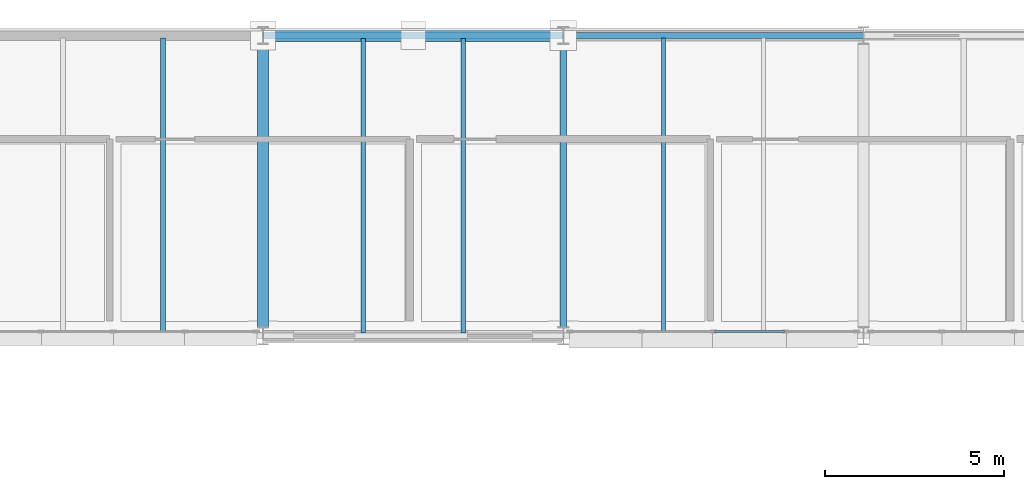
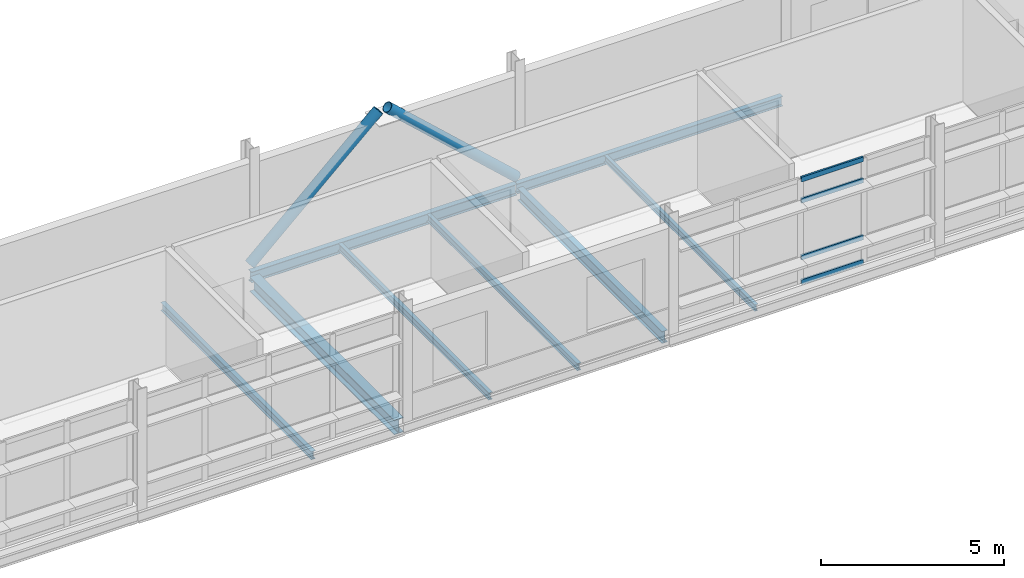
# One storey, part 71 of 151: 8 beams, 6 members, 1 element without a shape of its own.
"""IFC4 building model written with IfcOpenShell, lengths in metres."""

from ifc_helpers import new_model, si_unit, direction, frame, origin, origin_2d, place, context, subcontext, project, spatial, hollow_rectangle, hollow_circle, i_section, extrude, material, material_profile, profile_set, type_object, element, aggregate, save


model = new_model("IFC4")

# Units and contexts
model_context = context("Model", 3, precision=1e-05, world=origin(), true_north=direction((0.0, 1.0)))
body_context = subcontext(model_context, "Body", "Model", "MODEL_VIEW")
ifc_project = project(units=[si_unit("LENGTHUNIT", "METRE"), si_unit("AREAUNIT", "SQUARE_METRE"), si_unit("VOLUMEUNIT", "CUBIC_METRE"), si_unit("PLANEANGLEUNIT", "RADIAN"), si_unit("MASSUNIT", "GRAM", prefix="KILO")], contexts=[model_context])

# Site, building, storey
site_placement = place(None, origin())
site = spatial("IfcSite", under=ifc_project, at=site_placement, CompositionType="ELEMENT")
building_placement = place(site_placement, origin())
building = spatial("IfcBuilding", under=site, at=building_placement, Name="Mersafa Astral City Hall", CompositionType="ELEMENT")
storey_placement = place(building_placement, frame((0.0, 0.0, 9.89990234375)))
storey = spatial("IfcBuildingStorey", under=building, at=storey_placement, Name="L02", CompositionType="ELEMENT", Elevation=9.89990234375)

# Curtain wall, members
ifc_material_1 = material(Name="Anodised bronze aluminium framing", Category="aluminium")
curtain_wall_type = type_object("IfcCurtainWallType", Name="ENV-CW-3", PredefinedType="USERDEFINED", material=ifc_material_1)
curtain_wall_placement = place(storey_placement, origin())
curtain_wall = element("IfcCurtainWall", 1, at=curtain_wall_placement, inside=storey, type_object=curtain_wall_type, Name="L02 Unitised solar curtain wall 140", ObjectType="UNITISED CURTAIN WALL", PredefinedType="USERDEFINED")
ifc_material_profile_1 = material_profile(ifc_material_1, hollow_rectangle(XDim=0.06005859375, YDim=0.159912109375, WallThickness=0.00390625, at=origin_2d()), Name="RHS 60x160x4")
ifc_profile_set_1 = profile_set([ifc_material_profile_1], Name="Anodised bronze aluminium framing")
member_type_1 = type_object("IfcMemberType", Name="ENV-CW-TRN-2", PredefinedType="USERDEFINED", material=ifc_profile_set_1)
member_1_placement = place(storey_placement, frame((88.22998046875, 117.719970703125, 0.028076171875), z_axis=(1.0, 0.0, 0.0), x_axis=(0.0, 1.0, 0.0)))
member_1 = element("IfcMember", 2, at=member_1_placement, type_object=member_type_1, Name="CW-3 transom 3.1", ObjectType="TRANSOM", PredefinedType="USERDEFINED", context=body_context, shape_type="SweptSolid", body=[
    extrude(hollow_rectangle(XDim=0.06005859375, YDim=0.159912109375, WallThickness=0.00390625, at=origin_2d()), origin(), (0.0, 0.0, 1.0), 1.958984375),
])
member_2_placement = place(storey_placement, frame((88.22998046875, 117.719970703125, 0.85009765625), z_axis=(1.0, 0.0, 0.0), x_axis=(0.0, 1.0, 0.0)))
member_2 = element("IfcMember", 3, at=member_2_placement, type_object=member_type_1, Name="CW-3 transom 3.2", ObjectType="TRANSOM", PredefinedType="USERDEFINED", context=body_context, shape_type="SweptSolid", body=[
    extrude(hollow_rectangle(XDim=0.06005859375, YDim=0.159912109375, WallThickness=0.00390625, at=origin_2d()), origin(), (0.0, 0.0, 1.0), 1.958984375),
])
member_3_placement = place(storey_placement, frame((88.22998046875, 117.719970703125, 2.75), z_axis=(1.0, 0.0, 0.0), x_axis=(0.0, 1.0, 0.0)))
member_3 = element("IfcMember", 4, at=member_3_placement, type_object=member_type_1, Name="CW-3 transom 3.3", ObjectType="TRANSOM", PredefinedType="USERDEFINED", context=body_context, shape_type="SweptSolid", body=[
    extrude(hollow_rectangle(XDim=0.06005859375, YDim=0.159912109375, WallThickness=0.00390625, at=origin_2d()), origin(), (0.0, 0.0, 1.0), 1.958984375),
])
member_4_placement = place(storey_placement, frame((88.22998046875, 117.719970703125, 3.45703125), z_axis=(1.0, 0.0, 0.0), x_axis=(0.0, 1.0, 0.0)))
member_4 = element("IfcMember", 5, at=member_4_placement, type_object=member_type_1, Name="CW-3 transom 3.4", ObjectType="TRANSOM", PredefinedType="USERDEFINED", context=body_context, shape_type="SweptSolid", body=[
    extrude(hollow_rectangle(XDim=0.06005859375, YDim=0.159912109375, WallThickness=0.00390625, at=origin_2d()), origin(), (0.0, 0.0, 1.0), 1.958984375),
])
aggregate(curtain_wall, [member_1, member_2, member_3, member_4])

# Beams
ifc_material_2 = material(Name="Steel S355", Category="steel")
ifc_material_profile_2 = material_profile(ifc_material_2, i_section(OverallWidth=0.300048828125, OverallDepth=0.489990234375, WebThickness=0.011962890625, FlangeThickness=0.02294921875, FilletRadius=0.027099609375, at=origin_2d()), Name="HEA 500")
ifc_profile_set_2 = profile_set([ifc_material_profile_2], Name="Steel S355")
beam_type_1 = type_object("IfcBeamType", Name="STR-BM-HEA500", PredefinedType="BEAM", material=ifc_profile_set_2)
beam_1_placement = place(storey_placement, frame((75.60009765625, 117.844970703125, -0.44482421875), z_axis=(0.0, 1.0, 0.0), x_axis=(-1.0, 0.0, 0.0)))
element("IfcBeam", 6, at=beam_1_placement, inside=storey, type_object=beam_type_1, Name="L02 Primary girder Y 9-14", PredefinedType="BEAM", context=body_context, shape_type="SweptSolid", body=[
    extrude(i_section(OverallWidth=0.300048828125, OverallDepth=0.489990234375, WebThickness=0.011962890625, FlangeThickness=0.02294921875, FilletRadius=0.027099609375, at=origin_2d()), origin(), (0.0, 0.0, 1.0), 7.909912109375),
])
ifc_material_profile_3 = material_profile(ifc_material_2, i_section(OverallWidth=0.179931640625, OverallDepth=0.39990234375, WebThickness=0.008544921875, FlangeThickness=0.013427734375, FilletRadius=0.02099609375, at=origin_2d()), Name="IPE 400")
ifc_profile_set_3 = profile_set([ifc_material_profile_3], Name="Steel S355")
beam_type_2 = type_object("IfcBeamType", Name="STR-BM-IPE400", PredefinedType="BEAM", material=ifc_profile_set_3)
beam_2_placement = place(storey_placement, frame((84.0, 117.844970703125, -0.39990234375), z_axis=(0.0, 1.0, 0.0), x_axis=(-1.0, 0.0, 0.0)))
element("IfcBeam", 7, at=beam_2_placement, inside=storey, type_object=beam_type_2, Name="L02 Primary girder Y 10-14", PredefinedType="BEAM", context=body_context, shape_type="SweptSolid", body=[
    extrude(i_section(OverallWidth=0.179931640625, OverallDepth=0.39990234375, WebThickness=0.008544921875, FlangeThickness=0.013427734375, FilletRadius=0.02099609375, at=origin_2d()), origin(), (0.0, 0.0, 1.0), 7.909912109375),
])
ifc_material_profile_4 = material_profile(ifc_material_2, i_section(OverallWidth=0.110107421875, OverallDepth=0.219970703125, WebThickness=0.005859375, FlangeThickness=0.00927734375, FilletRadius=0.011962890625, at=origin_2d()), Name="IPE 220")
ifc_profile_set_4 = profile_set([ifc_material_profile_4], Name="Steel S355")
beam_type_3 = type_object("IfcBeamType", Name="STR-BM-JOIST-IPE220", PredefinedType="JOIST", material=ifc_profile_set_4)
beam_3_placement = place(storey_placement, frame((86.800048828125, 117.679931640625, -0.309814453125), z_axis=(0.0, 1.0, 0.0), x_axis=(-1.0, 0.0, 0.0)))
element("IfcBeam", 8, at=beam_3_placement, inside=storey, type_object=beam_type_3, Name="L02 Composite secondary floor joist 434", PredefinedType="JOIST", context=body_context, shape_type="SweptSolid", body=[
    extrude(i_section(OverallWidth=0.110107421875, OverallDepth=0.219970703125, WebThickness=0.005859375, FlangeThickness=0.00927734375, FilletRadius=0.011962890625, at=origin_2d()), origin(), (0.0, 0.0, 1.0), 8.2451171875),
])
ifc_material_profile_5 = material_profile(ifc_material_2, i_section(OverallWidth=0.1201171875, OverallDepth=0.239990234375, WebThickness=0.006103515625, FlangeThickness=0.009765625, FilletRadius=0.014892578125, at=origin_2d()), Name="IPE 240")
ifc_profile_set_5 = profile_set([ifc_material_profile_5], Name="Steel S355")
beam_type_4 = type_object("IfcBeamType", Name="STR-BM-JOIST-IPE240", PredefinedType="JOIST", material=ifc_profile_set_5)
for number, where, z_axis, x_axis, name in (
    (9, (78.39990234375, 117.675048828125, -0.31982421875), (0.0, 1.0, 0.0), (-1.0, 0.0, 0.0), "L02 Composite secondary floor joist 430"),
    (10, (81.199951171875, 117.675048828125, -0.31982421875), (0.0, 1.0, 0.0), (-1.0, 0.0, 0.0), "L02 Composite secondary floor joist 431"),
):
    element("IfcBeam", number, at=place(storey_placement, frame(where, z_axis=z_axis, x_axis=x_axis)), inside=storey, type_object=beam_type_4, Name=name, PredefinedType="JOIST", context=body_context, shape_type="SweptSolid", body=[
        extrude(i_section(OverallWidth=0.1201171875, OverallDepth=0.239990234375, WebThickness=0.006103515625, FlangeThickness=0.009765625, FilletRadius=0.014892578125, at=origin_2d()), origin(), (0.0, 0.0, 1.0), 8.244873046875),
    ])
ifc_material_profile_6 = material_profile(ifc_material_2, i_section(OverallWidth=0.135009765625, OverallDepth=0.27001953125, WebThickness=0.006591796875, FlangeThickness=0.01025390625, FilletRadius=0.014892578125, at=origin_2d()), Name="IPE 270")
ifc_profile_set_6 = profile_set([ifc_material_profile_6], Name="Steel S355")
beam_type_5 = type_object("IfcBeamType", Name="STR-BM-JOIST-IPE270", PredefinedType="JOIST", material=ifc_profile_set_6)
beam_4_placement = place(storey_placement, frame((72.800048828125, 117.679931640625, -0.3349609375), z_axis=(0.0, 1.0, 0.0), x_axis=(-1.0, 0.0, 0.0)))
element("IfcBeam", 11, at=beam_4_placement, inside=storey, type_object=beam_type_5, Name="L02 Composite secondary floor joist 429", PredefinedType="JOIST", context=body_context, shape_type="SweptSolid", body=[
    extrude(i_section(OverallWidth=0.135009765625, OverallDepth=0.27001953125, WebThickness=0.006591796875, FlangeThickness=0.01025390625, FilletRadius=0.014892578125, at=origin_2d()), origin(), (0.0, 0.0, 1.0), 8.2451171875),
])
ifc_material_profile_7 = material_profile(ifc_material_2, i_section(OverallWidth=0.159912109375, OverallDepth=0.330078125, WebThickness=0.007568359375, FlangeThickness=0.011474609375, FilletRadius=0.01806640625, at=origin_2d()), Name="IPE 330")
ifc_profile_set_7 = profile_set([ifc_material_profile_7], Name="Steel S355")
beam_type_6 = type_object("IfcBeamType", Name="STR-BM-SPANDREL-IPE330", PredefinedType="SPANDREL", material=ifc_profile_set_7)
beam_5_placement = place(storey_placement, frame((84.0029296875, 126.0, -0.364990234375), z_axis=(1.0, 0.0, 0.0), x_axis=(0.0, 1.0, 0.0)))
element("IfcBeam", 12, at=beam_5_placement, inside=storey, type_object=beam_type_6, Name="L02 Primary girder X 10-15", PredefinedType="SPANDREL", context=body_context, shape_type="SweptSolid", body=[
    extrude(i_section(OverallWidth=0.159912109375, OverallDepth=0.330078125, WebThickness=0.007568359375, FlangeThickness=0.011474609375, FilletRadius=0.01806640625, at=origin_2d()), origin(), (0.0, 0.0, 1.0), 8.39404296875),
])
ifc_material_profile_8 = material_profile(ifc_material_2, i_section(OverallWidth=0.169921875, OverallDepth=0.360107421875, WebThickness=0.008056640625, FlangeThickness=0.0126953125, FilletRadius=0.01806640625, at=origin_2d()), Name="IPE 360")
ifc_profile_set_8 = profile_set([ifc_material_profile_8], Name="Steel S355")
beam_type_7 = type_object("IfcBeamType", Name="STR-BM-SPANDREL-IPE360", PredefinedType="SPANDREL", material=ifc_profile_set_8)
beam_6_placement = place(storey_placement, frame((75.60302734375, 126.0, -0.3798828125), z_axis=(1.0, 0.0, 0.0), x_axis=(0.0, 1.0, 0.0)))
element("IfcBeam", 13, at=beam_6_placement, inside=storey, type_object=beam_type_7, Name="L02 Primary girder X 9-15", PredefinedType="SPANDREL", context=body_context, shape_type="SweptSolid", body=[
    extrude(i_section(OverallWidth=0.169921875, OverallDepth=0.360107421875, WebThickness=0.008056640625, FlangeThickness=0.0126953125, FilletRadius=0.01806640625, at=origin_2d()), origin(), (0.0, 0.0, 1.0), 8.39404296875),
])

# Members
ifc_material_profile_9 = material_profile(ifc_material_2, hollow_circle(Radius=0.161865234375, WallThickness=0.01611328125, at=origin_2d()), Name="CHS 323.9x16")
ifc_profile_set_9 = profile_set([ifc_material_profile_9], Name="Steel S355")
member_type_2 = type_object("IfcMemberType", Name="STR-MBR-BRACE-CHS324", PredefinedType="BRACE", material=ifc_profile_set_9)
for number, where, z_axis, x_axis, name in (
    (14, (75.597900390625, 126.0, 0.02001953125), (0.736569496394, 0.0, 0.676361868368), (0.0, 1.0, 0.0), "L02 Chevron lateral brace 10A"),
    (15, (84.001953125, 126.0, 0.02001953125), (-0.736569496394, 0.0, 0.676361868368), (0.0, -1.0, 0.0), "L02 Chevron lateral brace 10B"),
):
    element("IfcMember", number, at=place(storey_placement, frame(where, z_axis=z_axis, x_axis=x_axis)), inside=storey, type_object=member_type_2, Name=name, PredefinedType="BRACE", context=body_context, shape_type="SweptSolid", body=[
        extrude(hollow_circle(Radius=0.161865234375, WallThickness=0.01611328125, at=origin_2d()), origin(), (0.0, 0.0, 1.0), 5.5146484375),
    ])

save(model, "model.ifc")
